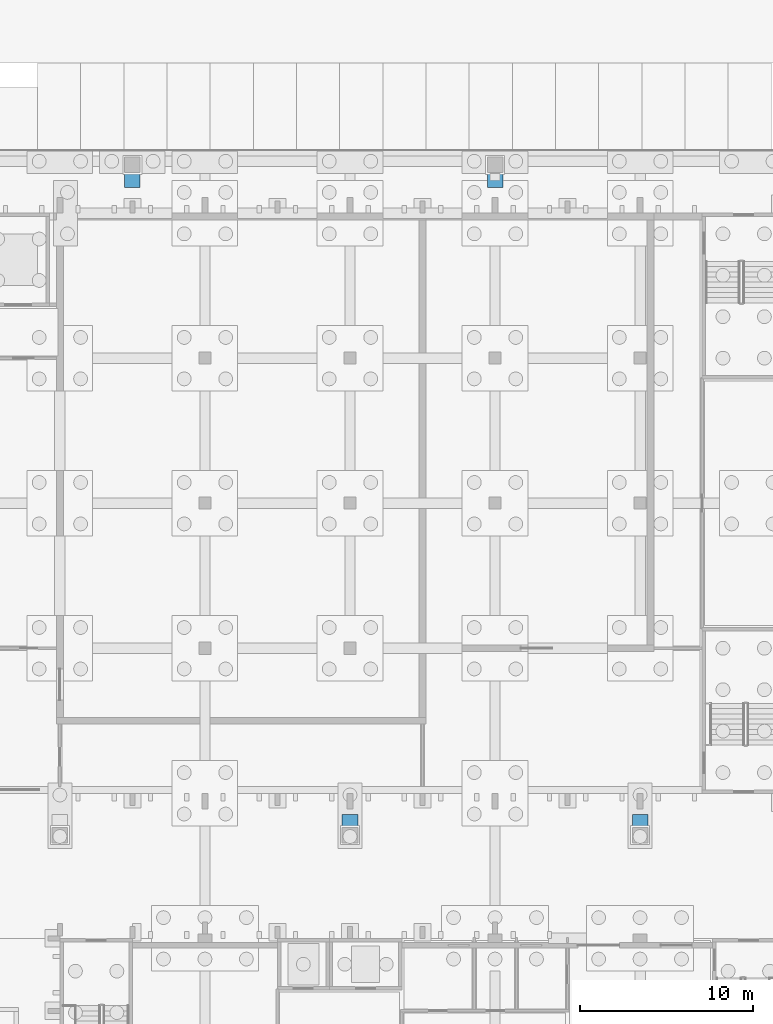
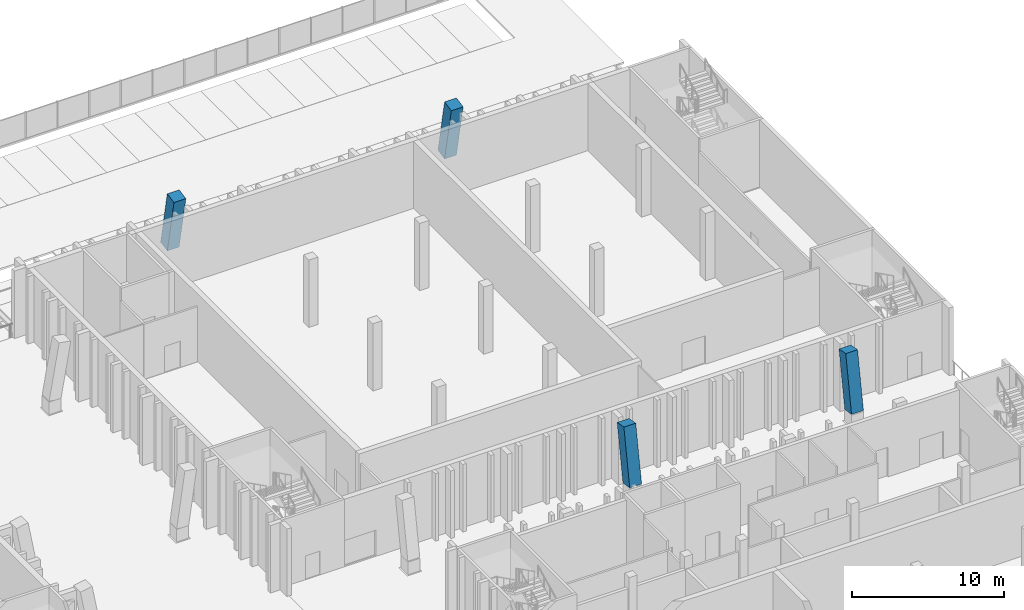
# One storey, part 30 of 129: 4 members.
"""IFC4 building model written with IfcOpenShell, lengths in metres."""

from ifc_helpers import new_model, si_unit, direction, frame, origin, origin_2d, place, context, subcontext, project, spatial, rectangle, extrude, material, material_profile, profile_set, type_object, element, save


model = new_model("IFC4")

# Units and contexts
model_context = context("Model", 3, precision=1e-05, world=origin(), true_north=direction((0.0, 1.0)))
body_context = subcontext(model_context, "Body", "Model", "MODEL_VIEW")
ifc_project = project(units=[si_unit("LENGTHUNIT", "METRE"), si_unit("AREAUNIT", "SQUARE_METRE"), si_unit("VOLUMEUNIT", "CUBIC_METRE"), si_unit("PLANEANGLEUNIT", "RADIAN"), si_unit("MASSUNIT", "GRAM", prefix="KILO")], contexts=[model_context])

# Site, building, storey
site_placement = place(None, origin())
site = spatial("IfcSite", under=ifc_project, at=site_placement, CompositionType="ELEMENT")
building_placement = place(site_placement, origin())
building = spatial("IfcBuilding", under=site, at=building_placement, Name="Kiln Court Media Centre", CompositionType="ELEMENT")
storey_placement = place(building_placement, origin())
storey = spatial("IfcBuildingStorey", under=building, at=storey_placement, Name="L00", CompositionType="ELEMENT", Elevation=0.0)

# Members
ifc_material = material(Name="Concrete C40/50", Category="concrete")
ifc_material_profile = material_profile(ifc_material, rectangle(XDim=0.89990234375, YDim=0.89990234375, at=origin_2d()), Name="RC 900x900")
ifc_profile_set = profile_set([ifc_material_profile], Name="Concrete C40/50")
member_type = type_object("IfcMemberType", Name="Concrete C40/50 raked column 900x900", PredefinedType="STRUT", material=ifc_profile_set)
for number, where, z_axis, x_axis, name in (
    (1, (142.800048828125, 31.17333984375, 1.0), (0.0, 0.17079663137, 0.985306302991), (-1.0, 0.0, 0.0), "L00-M-1008"),
    (2, (159.60009765625, 31.17333984375, 1.0), (0.0, 0.17079663137, 0.985306302991), (-1.0, 0.0, 0.0), "L00-M-1009"),
):
    element("IfcMember", number, at=place(storey_placement, frame(where, z_axis=z_axis, x_axis=x_axis)), inside=storey, type_object=member_type, Name=name, PredefinedType="STRUT", context=body_context, shape_type="SweptSolid", body=[
        extrude(rectangle(XDim=0.89990234375, YDim=0.89990234375, at=origin_2d()), origin(), (0.0, 0.0, 1.0), 4.465576171875),
    ])
for number, where, z_axis, x_axis, name in (
    (3, (130.199951171875, 70.0, 1.0), (0.0, -0.196095208003, 0.980584860886), (1.0, 0.0, 0.0), "L00-M-1010"),
    (4, (151.199951171875, 70.0, 1.0), (0.0, -0.196095208003, 0.980584860886), (1.0, 0.0, 0.0), "L00-M-1011"),
):
    element("IfcMember", number, at=place(storey_placement, frame(where, z_axis=z_axis, x_axis=x_axis)), inside=storey, type_object=member_type, Name=name, PredefinedType="STRUT", context=body_context, shape_type="SweptSolid", body=[
        extrude(rectangle(XDim=0.89990234375, YDim=0.89990234375, at=origin_2d()), origin(), (0.0, 0.0, 1.0), 4.487060546875),
    ])

save(model, "model.ifc")
